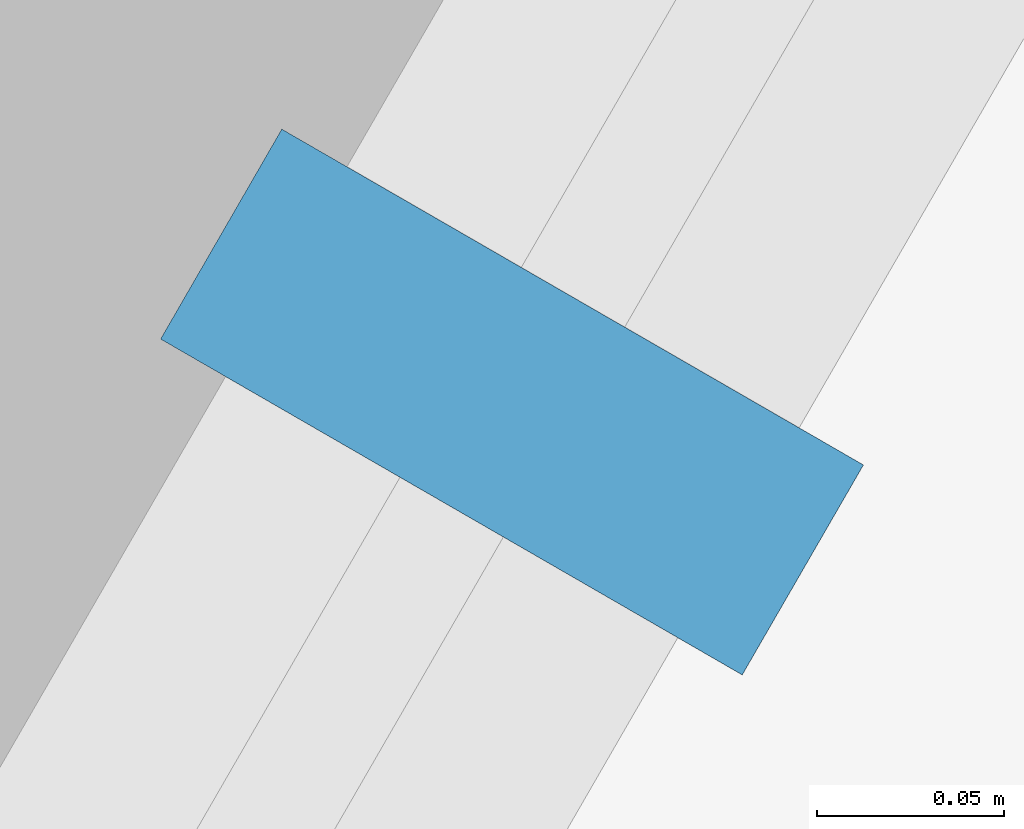
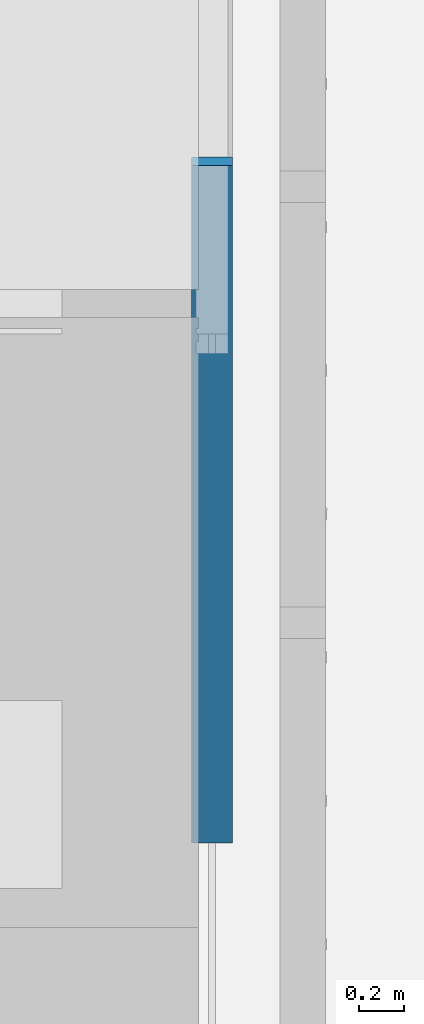
# One storey, part 98 of 238: 1 member, 1 element without a shape of its own.
"""IFC4 building model written with IfcOpenShell, lengths in metres."""

from ifc_helpers import new_model, si_unit, direction, frame, origin, origin_2d, place, context, subcontext, project, spatial, rectangle, extrude, material, material_profile, profile_set, type_object, element, aggregate, save


model = new_model("IFC4")

# Units and contexts
model_context = context("Model", 3, precision=1e-05, world=origin(), true_north=direction((0.0, 1.0)))
body_context = subcontext(model_context, "Body", "Model", "MODEL_VIEW")
ifc_project = project(units=[si_unit("LENGTHUNIT", "METRE"), si_unit("AREAUNIT", "SQUARE_METRE"), si_unit("VOLUMEUNIT", "CUBIC_METRE"), si_unit("PLANEANGLEUNIT", "RADIAN"), si_unit("MASSUNIT", "GRAM", prefix="KILO")], contexts=[model_context])

# Site, building, storey
site_placement = place(None, origin())
site = spatial("IfcSite", under=ifc_project, at=site_placement, CompositionType="ELEMENT")
building_placement = place(site_placement, origin())
building = spatial("IfcBuilding", under=site, at=building_placement, Name="Sandreach Pilgrim Tower", CompositionType="ELEMENT")
storey_placement = place(building_placement, frame((0.0, 0.0, 96.800048828125)))
storey = spatial("IfcBuildingStorey", under=building, at=storey_placement, Name="L23", CompositionType="ELEMENT", Elevation=96.800048828125)

# Curtain wall, member
ifc_material_1 = material(Name="Aluminium framed curtain wall", Category="aluminium")
curtain_wall_type = type_object("IfcCurtainWallType", Name="Hotel tower curtain wall", PredefinedType="NOTDEFINED", material=ifc_material_1)
curtain_wall_placement = place(storey_placement, origin())
curtain_wall = element("IfcCurtainWall", 1, at=curtain_wall_placement, inside=storey, type_object=curtain_wall_type, Name="CW-2 L23 SE", PredefinedType="NOTDEFINED")
ifc_material_2 = material(Name="Aluminium extrusion", Category="aluminium")
ifc_material_profile = material_profile(ifc_material_2, rectangle(XDim=0.06494140625, YDim=0.179931640625, at=origin_2d()), Name="CW-2M 65X180")
ifc_profile_set = profile_set([ifc_material_profile], Name="Aluminium extrusion")
member_type = type_object("IfcMemberType", Name="CW-2 mullion", PredefinedType="MULLION", material=ifc_profile_set)
member_placement = place(storey_placement, frame((20.5068359375, -9.468505859375, 0.0), z_axis=(0.0, 0.0, 1.0), x_axis=(-0.5, -0.866025403784, 0.0)))
member = element("IfcMember", 2, at=member_placement, type_object=member_type, Name="CW-2 mullion 5", PredefinedType="MULLION", context=body_context, shape_type="SweptSolid", body=[
    extrude(rectangle(XDim=0.06494140625, YDim=0.179931640625, at=origin_2d()), origin(), (0.0, 0.0, 1.0), 3.639892578125),
])
aggregate(curtain_wall, [member])

save(model, "model.ifc")
